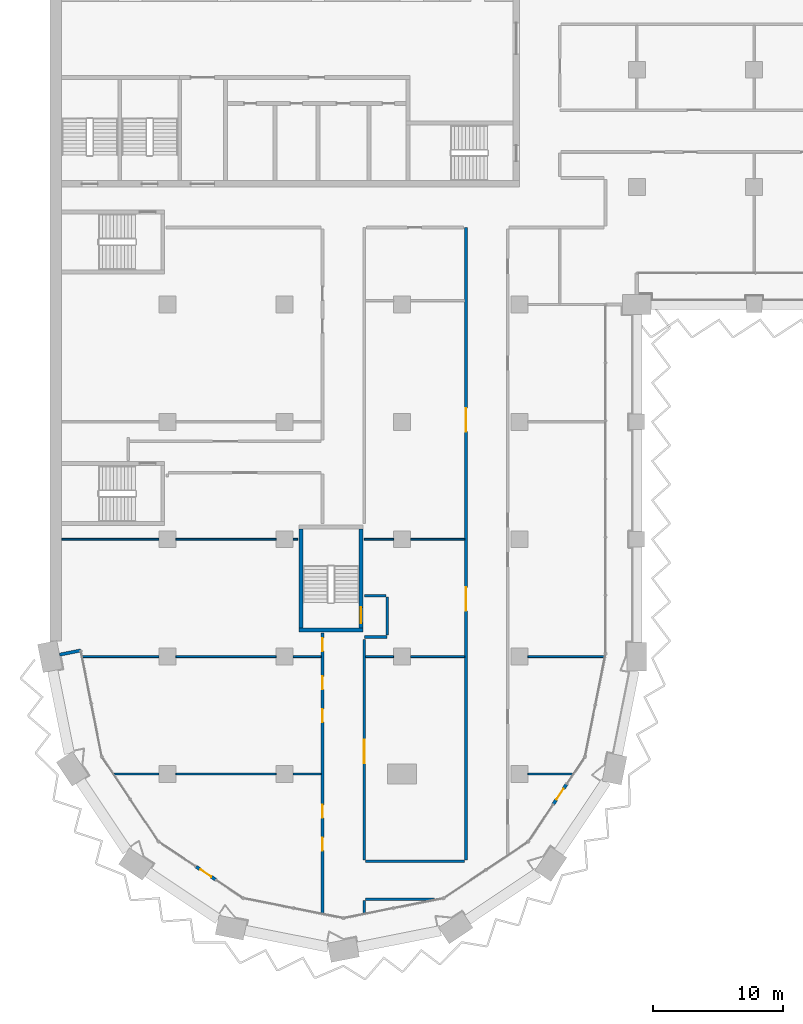
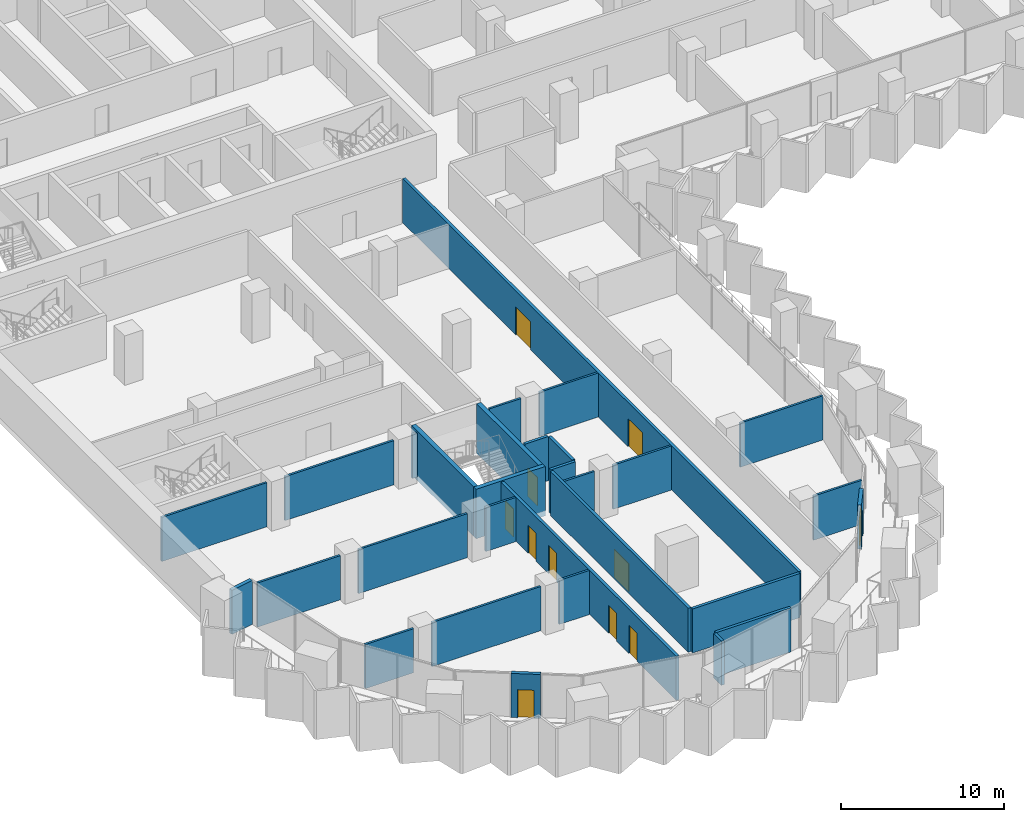
# One storey, part 9 of 23: 30 walls, 11 doors, 11 openings.
"""IFC4 building model written with IfcOpenShell, lengths in metres."""

from ifc_helpers import new_model, si_unit, direction, frame, frame_2d, origin, place, context, subcontext, project, spatial, rectangle, extrude, material, layer, layer_set, type_object, element, fill, save


model = new_model("IFC4")

# Units and contexts
model_context = context("Model", 3, precision=1e-05, world=origin(), true_north=direction((0.0, 1.0)))
body_context = subcontext(model_context, "Body", "Model", "MODEL_VIEW")
ifc_project = project(units=[si_unit("LENGTHUNIT", "METRE"), si_unit("AREAUNIT", "SQUARE_METRE"), si_unit("VOLUMEUNIT", "CUBIC_METRE"), si_unit("PLANEANGLEUNIT", "RADIAN"), si_unit("MASSUNIT", "GRAM", prefix="KILO")], contexts=[model_context])

# Site, building, storey
site_placement = place(None, origin())
site = spatial("IfcSite", under=ifc_project, at=site_placement, CompositionType="ELEMENT")
building_placement = place(site_placement, origin())
building = spatial("IfcBuilding", under=site, at=building_placement, Name="Hunhe Ridgeline Campus", CompositionType="ELEMENT")
storey_placement = place(building_placement, frame((0.0, 0.0, 99.60009765625)))
storey = spatial("IfcBuildingStorey", under=building, at=storey_placement, Name="L24", CompositionType="ELEMENT", Elevation=99.60009765625)

# Walls
ifc_material_1 = material(Name="Concrete C30", Category="concrete")
ifc_layer_1 = layer(ifc_material_1, 0.25)
ifc_layer_set_1 = layer_set([ifc_layer_1], Name="Corner return wall 250 Concrete C30")
wall_type_1 = type_object("IfcWallType", Name="Corner return wall 250 Concrete C30", PredefinedType="SOLIDWALL", material=ifc_layer_set_1)
wall_1_placement = place(storey_placement, frame((0.7353515625, 27.14697265625, 0.0), z_axis=(0.0, 0.0, 1.0), x_axis=(0.980824468215, 0.194893208067, 0.0)))
element("IfcWall", 1, at=wall_1_placement, inside=storey, type_object=wall_type_1, Name="Corner return wall 1", PredefinedType="SOLIDWALL", context=body_context, shape_type="SweptSolid", body=[
    extrude(rectangle(XDim=1.651123046875, YDim=0.25, at=frame_2d((0.82568359375, 0.0))), origin(), (0.0, 0.0, 1.0), 3.2998046875),
])
ifc_material_2 = material(Name="Gypsum board partition")
ifc_layer_2 = layer(ifc_material_2, 0.199951171875)
ifc_layer_set_2 = layer_set([ifc_layer_2], Name="Corridor partition 200 gypsum board on steel studs")
wall_type_2 = type_object("IfcWallType", Name="Corridor partition 200 gypsum board on steel studs", PredefinedType="PARTITIONING", material=ifc_layer_set_2)
wall_2_placement = place(storey_placement, frame((29.472412109375, 8.389892578125, 0.0), z_axis=(0.0, 0.0, 1.0), x_axis=(-1.0, 0.0, 0.0)))
element("IfcWall", 2, at=wall_2_placement, inside=storey, type_object=wall_type_2, Name="F-L24-wall-001", PredefinedType="PARTITIONING", context=body_context, shape_type="SweptSolid", body=[
    extrude(rectangle(XDim=5.2724609375, YDim=0.199951171875, at=frame_2d((2.63623046875, 0.0))), origin(), (0.0, 0.0, 1.0), 3.2998046875),
])
wall_3_placement = place(storey_placement, frame((24.199951171875, 11.299072265625, 0.0), z_axis=(0.0, 0.0, 1.0), x_axis=(1.0, 0.0, 0.0)))
element("IfcWall", 3, at=wall_3_placement, inside=storey, type_object=wall_type_2, Name="F-L24-wall-002", PredefinedType="PARTITIONING", context=body_context, shape_type="SweptSolid", body=[
    extrude(rectangle(XDim=7.60009765625, YDim=0.199951171875, at=frame_2d((3.800048828125, 0.0))), origin(), (0.0, 0.0, 1.0), 3.2998046875),
])
wall_4_placement = place(storey_placement, frame((25.85009765625, 28.5, 0.0), z_axis=(0.0, 0.0, 1.0), x_axis=(-1.0, 0.0, 0.0)))
element("IfcWall", 4, at=wall_4_placement, inside=storey, type_object=wall_type_2, Name="F-L24-wall-013", PredefinedType="PARTITIONING", context=body_context, shape_type="SweptSolid", body=[
    extrude(rectangle(XDim=1.75, YDim=0.199951171875, at=frame_2d((0.875, 0.0))), origin(), (0.0, 0.0, 1.0), 3.2998046875),
])
wall_5_placement = place(storey_placement, frame((24.10400390625, 31.675048828125, 0.0), z_axis=(0.0, 0.0, 1.0), x_axis=(1.0, 0.0, 0.0)))
element("IfcWall", 5, at=wall_5_placement, inside=storey, type_object=wall_type_2, Name="F-L24-wall-014", PredefinedType="PARTITIONING", context=body_context, shape_type="SweptSolid", body=[
    extrude(rectangle(XDim=1.64599609375, YDim=0.199951171875, at=frame_2d((0.822998046875, 0.0))), origin(), (0.0, 0.0, 1.0), 3.2998046875),
])

# Wall, openings, doors
wall_6_placement = place(storey_placement, frame((20.89990234375, 7.3212890625, 0.0), z_axis=(0.0, 0.0, 1.0), x_axis=(0.0, 1.0, 0.0)))
wall_6 = element("IfcWall", 6, at=wall_6_placement, inside=storey, type_object=wall_type_2, Name="F-L24-wall-042", PredefinedType="PARTITIONING", context=body_context, shape_type="SweptSolid", body=[
    extrude(rectangle(XDim=21.474609375, YDim=0.199951171875, at=frame_2d((10.7373046875, 0.0))), origin(), (0.0, 0.0, 1.0), 3.2998046875),
])
opening_1_placement = place(wall_6_placement, frame((4.805419921875, 0.0, 0.0)))
opening_1 = element("IfcOpeningElement", 7, at=opening_1_placement, cuts=wall_6, Name="Opening RD1-001", PredefinedType="OPENING", context=body_context, shape_type="SweptSolid", body=[
    extrude(rectangle(XDim=1.0, YDim=2.10009765625, at=frame_2d((0.5, 1.050048828125))), frame((0.0, 0.10009765625, 0.0), z_axis=(0.0, -1.0, 0.0), x_axis=(1.0, 0.0, 0.0)), (0.0, 0.0, 1.0), 0.199951171875),
])
opening_2_placement = place(wall_6_placement, frame((7.305419921875, 0.0, 0.0)))
opening_2 = element("IfcOpeningElement", 8, at=opening_2_placement, cuts=wall_6, Name="Opening RD1-002", PredefinedType="OPENING", context=body_context, shape_type="SweptSolid", body=[
    extrude(rectangle(XDim=1.0, YDim=2.10009765625, at=frame_2d((0.5, 1.050048828125))), frame((0.0, 0.10009765625, 0.0), z_axis=(0.0, -1.0, 0.0), x_axis=(1.0, 0.0, 0.0)), (0.0, 0.0, 1.0), 0.199951171875),
])
opening_3_placement = place(wall_6_placement, frame((14.65869140625, 0.0, 0.0)))
opening_3 = element("IfcOpeningElement", 9, at=opening_3_placement, cuts=wall_6, Name="Opening RD1-006", PredefinedType="OPENING", context=body_context, shape_type="SweptSolid", body=[
    extrude(rectangle(XDim=1.0, YDim=2.10009765625, at=frame_2d((0.5, 1.050048828125))), frame((0.0, 0.10009765625, 0.0), z_axis=(0.0, -1.0, 0.0), x_axis=(1.0, 0.0, 0.0)), (0.0, 0.0, 1.0), 0.199951171875),
])
opening_4_placement = place(wall_6_placement, frame((17.15869140625, 0.0, 0.0)))
opening_4 = element("IfcOpeningElement", 10, at=opening_4_placement, cuts=wall_6, Name="Opening RD1-007", PredefinedType="OPENING", context=body_context, shape_type="SweptSolid", body=[
    extrude(rectangle(XDim=1.0, YDim=2.10009765625, at=frame_2d((0.5, 1.050048828125))), frame((0.0, 0.10009765625, 0.0), z_axis=(0.0, -1.0, 0.0), x_axis=(1.0, 0.0, 0.0)), (0.0, 0.0, 1.0), 0.199951171875),
])
opening_5_placement = place(wall_6_placement, frame((20.09033203125, 0.0, 0.0)))
opening_5 = element("IfcOpeningElement", 11, at=opening_5_placement, cuts=wall_6, Name="Opening RD1-008", PredefinedType="OPENING", context=body_context, shape_type="SweptSolid", body=[
    extrude(rectangle(XDim=1.0, YDim=2.10009765625, at=frame_2d((0.5, 1.050048828125))), frame((0.0, 0.10009765625, 0.0), z_axis=(0.0, -1.0, 0.0), x_axis=(1.0, 0.0, 0.0)), (0.0, 0.0, 1.0), 0.199951171875),
])
ifc_material_3 = material(Name="Timber door leaf", Category="wood")
door_type_1 = type_object("IfcDoorType", Name="Single fire door 1000x2100 timber FD60", OperationType="NOTDEFINED", PredefinedType="DOOR", material=ifc_material_3)
door_1_placement = place(opening_1_placement, frame((1.0, 0.0, 0.0), z_axis=(0.0, 0.0, 1.0), x_axis=(-1.0, 0.0, 0.0)))
door_1 = element("IfcDoor", 12, at=door_1_placement, inside=storey, type_object=door_type_1, Name="F-L24-door-001", OperationType="SINGLE_SWING_LEFT", OverallHeight=2.10009765625, OverallWidth=1.0, PredefinedType="DOOR", context=body_context, shape_type="SweptSolid", body=[
    extrude(rectangle(XDim=1.0, YDim=2.10009765625, at=frame_2d((0.5, 1.050048828125))), frame((0.0, 0.02490234375, 0.0), z_axis=(0.0, -1.0, 0.0), x_axis=(1.0, 0.0, 0.0)), (0.0, 0.0, 1.0), 0.050048828125),
])
fill(opening_1, door_1)
door_2_placement = place(opening_2_placement, frame((1.0, 0.0, 0.0), z_axis=(0.0, 0.0, 1.0), x_axis=(-1.0, 0.0, 0.0)))
door_2 = element("IfcDoor", 13, at=door_2_placement, inside=storey, type_object=door_type_1, Name="F-L24-door-002", OperationType="SINGLE_SWING_LEFT", OverallHeight=2.10009765625, OverallWidth=1.0, PredefinedType="DOOR", context=body_context, shape_type="SweptSolid", body=[
    extrude(rectangle(XDim=1.0, YDim=2.10009765625, at=frame_2d((0.5, 1.050048828125))), frame((0.0, 0.02490234375, 0.0), z_axis=(0.0, -1.0, 0.0), x_axis=(1.0, 0.0, 0.0)), (0.0, 0.0, 1.0), 0.050048828125),
])
fill(opening_2, door_2)
door_3_placement = place(opening_3_placement, frame((1.0, 0.0, 0.0), z_axis=(0.0, 0.0, 1.0), x_axis=(-1.0, 0.0, 0.0)))
door_3 = element("IfcDoor", 14, at=door_3_placement, inside=storey, type_object=door_type_1, Name="F-L24-door-006", OperationType="SINGLE_SWING_LEFT", OverallHeight=2.10009765625, OverallWidth=1.0, PredefinedType="DOOR", context=body_context, shape_type="SweptSolid", body=[
    extrude(rectangle(XDim=1.0, YDim=2.10009765625, at=frame_2d((0.5, 1.050048828125))), frame((0.0, 0.02490234375, 0.0), z_axis=(0.0, -1.0, 0.0), x_axis=(1.0, 0.0, 0.0)), (0.0, 0.0, 1.0), 0.050048828125),
])
fill(opening_3, door_3)
door_4_placement = place(opening_4_placement, frame((1.0, 0.0, 0.0), z_axis=(0.0, 0.0, 1.0), x_axis=(-1.0, 0.0, 0.0)))
door_4 = element("IfcDoor", 15, at=door_4_placement, inside=storey, type_object=door_type_1, Name="F-L24-door-007", OperationType="SINGLE_SWING_LEFT", OverallHeight=2.10009765625, OverallWidth=1.0, PredefinedType="DOOR", context=body_context, shape_type="SweptSolid", body=[
    extrude(rectangle(XDim=1.0, YDim=2.10009765625, at=frame_2d((0.5, 1.050048828125))), frame((0.0, 0.02490234375, 0.0), z_axis=(0.0, -1.0, 0.0), x_axis=(1.0, 0.0, 0.0)), (0.0, 0.0, 1.0), 0.050048828125),
])
fill(opening_4, door_4)
door_5_placement = place(opening_5_placement, frame((1.0, 0.0, 0.0), z_axis=(0.0, 0.0, 1.0), x_axis=(-1.0, 0.0, 0.0)))
door_5 = element("IfcDoor", 16, at=door_5_placement, inside=storey, type_object=door_type_1, Name="F-L24-door-008", OperationType="SINGLE_SWING_LEFT", OverallHeight=2.10009765625, OverallWidth=1.0, PredefinedType="DOOR", context=body_context, shape_type="SweptSolid", body=[
    extrude(rectangle(XDim=1.0, YDim=2.10009765625, at=frame_2d((0.5, 1.050048828125))), frame((0.0, 0.02490234375, 0.0), z_axis=(0.0, -1.0, 0.0), x_axis=(1.0, 0.0, 0.0)), (0.0, 0.0, 1.0), 0.050048828125),
])
fill(opening_5, door_5)

# Wall
wall_7_placement = place(storey_placement, frame((24.10009765625, 8.2900390625, 0.0), z_axis=(0.0, 0.0, 1.0), x_axis=(0.0, -1.0, 0.0)))
element("IfcWall", 17, at=wall_7_placement, inside=storey, type_object=wall_type_2, Name="F-L24-wall-045", PredefinedType="PARTITIONING", context=body_context, shape_type="SweptSolid", body=[
    extrude(rectangle(XDim=0.96875, YDim=0.199951171875, at=frame_2d((0.484375, 0.0))), origin(), (0.0, 0.0, 1.0), 3.2998046875),
])

# Wall, opening, door
wall_8_placement = place(storey_placement, frame((24.10009765625, 28.296630859375, 0.0), z_axis=(0.0, 0.0, 1.0), x_axis=(0.0, -1.0, 0.0)))
wall_8 = element("IfcWall", 18, at=wall_8_placement, inside=storey, type_object=wall_type_2, Name="F-L24-wall-046", PredefinedType="PARTITIONING", context=body_context, shape_type="SweptSolid", body=[
    extrude(rectangle(XDim=16.897705078125, YDim=0.199951171875, at=frame_2d((8.44873046875, 0.0))), origin(), (0.0, 0.0, 1.0), 3.2998046875),
])
opening_6_placement = place(wall_8_placement, frame((7.67919921875, 0.0, 0.0)))
opening_6 = element("IfcOpeningElement", 19, at=opening_6_placement, cuts=wall_8, Name="Opening RD2-004", PredefinedType="OPENING", context=body_context, shape_type="SweptSolid", body=[
    extrude(rectangle(XDim=1.800048828125, YDim=2.10009765625, at=frame_2d((0.89990234375, 1.050048828125))), frame((0.0, 0.10009765625, 0.0), z_axis=(0.0, -1.0, 0.0), x_axis=(1.0, 0.0, 0.0)), (0.0, 0.0, 1.0), 0.199951171875),
])
door_type_2 = type_object("IfcDoorType", Name="Double fire door 1800x2100 timber FD60", OperationType="DOUBLE_DOOR_SINGLE_SWING", PredefinedType="DOOR", material=ifc_material_3)
door_6_placement = place(opening_6_placement, origin())
door_6 = element("IfcDoor", 20, at=door_6_placement, inside=storey, type_object=door_type_2, Name="F-L24-door-004", OperationType="DOUBLE_DOOR_SINGLE_SWING", OverallHeight=2.10009765625, OverallWidth=1.800048828125, PredefinedType="DOOR", context=body_context, shape_type="SweptSolid", body=[
    extrude(rectangle(XDim=1.800048828125, YDim=2.10009765625, at=frame_2d((0.89990234375, 1.050048828125))), frame((0.0, 0.02490234375, 0.0), z_axis=(0.0, -1.0, 0.0), x_axis=(1.0, 0.0, 0.0)), (0.0, 0.0, 1.0), 0.050048828125),
])
fill(opening_6, door_6)

# Wall
wall_9_placement = place(storey_placement, frame((25.85009765625, 31.574951171875, 0.0), z_axis=(0.0, 0.0, 1.0), x_axis=(0.0, -1.0, 0.0)))
element("IfcWall", 21, at=wall_9_placement, inside=storey, type_object=wall_type_2, Name="F-L24-wall-048", PredefinedType="PARTITIONING", context=body_context, shape_type="SweptSolid", body=[
    extrude(rectangle(XDim=2.89990234375, YDim=0.199951171875, at=frame_2d((1.449951171875, 0.0))), origin(), (0.0, 0.0, 1.0), 3.2998046875),
])

# Wall, openings, doors
wall_10_placement = place(storey_placement, frame((31.89990234375, 11.39892578125, 0.0), z_axis=(0.0, 0.0, 1.0), x_axis=(0.0, 1.0, 0.0)))
wall_10 = element("IfcWall", 22, at=wall_10_placement, inside=storey, type_object=wall_type_2, Name="F-L24-wall-049", PredefinedType="PARTITIONING", context=body_context, shape_type="SweptSolid", body=[
    extrude(rectangle(XDim=48.5009765625, YDim=0.199951171875, at=frame_2d((24.25048828125, 0.0))), origin(), (0.0, 0.0, 1.0), 3.2998046875),
])
opening_7_placement = place(wall_10_placement, frame((19.100341796875, 0.0, 0.0)))
opening_7 = element("IfcOpeningElement", 23, at=opening_7_placement, cuts=wall_10, Name="Opening RD2-009", PredefinedType="OPENING", context=body_context, shape_type="SweptSolid", body=[
    extrude(rectangle(XDim=1.800048828125, YDim=2.10009765625, at=frame_2d((0.89990234375, 1.050048828125))), frame((0.0, 0.10009765625, 0.0), z_axis=(0.0, -1.0, 0.0), x_axis=(1.0, 0.0, 0.0)), (0.0, 0.0, 1.0), 0.199951171875),
])
opening_8_placement = place(wall_10_placement, frame((32.8505859375, 0.0, 0.0)))
opening_8 = element("IfcOpeningElement", 24, at=opening_8_placement, cuts=wall_10, Name="Opening RD2-014", PredefinedType="OPENING", context=body_context, shape_type="SweptSolid", body=[
    extrude(rectangle(XDim=1.800048828125, YDim=2.10009765625, at=frame_2d((0.89990234375, 1.050048828125))), frame((0.0, 0.10009765625, 0.0), z_axis=(0.0, -1.0, 0.0), x_axis=(1.0, 0.0, 0.0)), (0.0, 0.0, 1.0), 0.199951171875),
])
door_7_placement = place(opening_7_placement, origin())
door_7 = element("IfcDoor", 25, at=door_7_placement, inside=storey, type_object=door_type_2, Name="F-L24-door-009", OperationType="DOUBLE_DOOR_SINGLE_SWING", OverallHeight=2.10009765625, OverallWidth=1.800048828125, PredefinedType="DOOR", context=body_context, shape_type="SweptSolid", body=[
    extrude(rectangle(XDim=1.800048828125, YDim=2.10009765625, at=frame_2d((0.89990234375, 1.050048828125))), frame((0.0, 0.02490234375, 0.0), z_axis=(0.0, -1.0, 0.0), x_axis=(1.0, 0.0, 0.0)), (0.0, 0.0, 1.0), 0.050048828125),
])
fill(opening_7, door_7)
door_8_placement = place(opening_8_placement, origin())
door_8 = element("IfcDoor", 26, at=door_8_placement, inside=storey, type_object=door_type_2, Name="F-L24-door-014", OperationType="DOUBLE_DOOR_SINGLE_SWING", OverallHeight=2.10009765625, OverallWidth=1.800048828125, PredefinedType="DOOR", context=body_context, shape_type="SweptSolid", body=[
    extrude(rectangle(XDim=1.800048828125, YDim=2.10009765625, at=frame_2d((0.89990234375, 1.050048828125))), frame((0.0, 0.02490234375, 0.0), z_axis=(0.0, -1.0, 0.0), x_axis=(1.0, 0.0, 0.0)), (0.0, 0.0, 1.0), 0.050048828125),
])
fill(opening_8, door_8)

# Wall, opening, door
ifc_layer_3 = layer(ifc_material_1, 0.25)
ifc_layer_set_3 = layer_set([ifc_layer_3], Name="Loggia door pier wall 250 Concrete C30")
wall_type_3 = type_object("IfcWallType", Name="Loggia door pier wall 250 Concrete C30", PredefinedType="SOLIDWALL", material=ifc_layer_set_3)
wall_11_placement = place(storey_placement, frame((11.19970703125, 10.897705078125, 0.0), z_axis=(0.0, 0.0, 1.0), x_axis=(0.83146554274, -0.555576323502, 0.0)))
wall_11 = element("IfcWall", 27, at=wall_11_placement, inside=storey, type_object=wall_type_3, Name="Loggia door pier 1", PredefinedType="SOLIDWALL", context=body_context, shape_type="SweptSolid", body=[
    extrude(rectangle(XDim=1.800048828125, YDim=0.25, at=frame_2d((0.89990234375, 0.0))), origin(), (0.0, 0.0, 1.0), 3.2998046875),
])
opening_9_placement = place(wall_11_placement, frame((0.39990234375, 0.0, 0.0)))
opening_9 = element("IfcOpeningElement", 28, at=opening_9_placement, cuts=wall_11, Name="Opening BD202", PredefinedType="OPENING", context=body_context, shape_type="SweptSolid", body=[
    extrude(rectangle(XDim=1.0, YDim=2.10009765625, at=frame_2d((0.5, 1.050048828125))), frame((0.0, 0.125, 0.0), z_axis=(0.0, -1.0, 0.0), x_axis=(1.0, 0.0, 0.0)), (0.0, 0.0, 1.0), 0.25),
])
ifc_material_4 = material(Name="Aluminium 6063", Category="aluminium")
door_type_3 = type_object("IfcDoorType", Name="Loggia glazed door 1000x2100", OperationType="NOTDEFINED", PredefinedType="DOOR", material=ifc_material_4)
door_9_placement = place(opening_9_placement, frame((1.0, 0.0, 0.0), z_axis=(0.0, 0.0, 1.0), x_axis=(-1.0, 0.0, 0.0)))
door_9 = element("IfcDoor", 29, at=door_9_placement, inside=storey, type_object=door_type_3, Name="Loggia door BD202", OperationType="SINGLE_SWING_LEFT", OverallHeight=2.10009765625, OverallWidth=1.0, PredefinedType="DOOR", context=body_context, shape_type="SweptSolid", body=[
    extrude(rectangle(XDim=1.0, YDim=2.10009765625, at=frame_2d((0.5, 1.050048828125))), frame((0.0, 0.02490234375, 0.0), z_axis=(0.0, -1.0, 0.0), x_axis=(1.0, 0.0, 0.0)), (0.0, 0.0, 1.0), 0.050048828125),
])
fill(opening_9, door_9)

wall_12_placement = place(storey_placement, frame((38.602294921875, 15.69970703125, 0.0), z_axis=(0.0, 0.0, 1.0), x_axis=(0.555576323502, 0.83146554274, 0.0)))
wall_12 = element("IfcWall", 30, at=wall_12_placement, inside=storey, type_object=wall_type_3, Name="Loggia door pier 2", PredefinedType="SOLIDWALL", context=body_context, shape_type="SweptSolid", body=[
    extrude(rectangle(XDim=1.800048828125, YDim=0.25, at=frame_2d((0.89990234375, 0.0))), origin(), (0.0, 0.0, 1.0), 3.2998046875),
])
opening_10_placement = place(wall_12_placement, frame((0.39990234375, 0.0, 0.0)))
opening_10 = element("IfcOpeningElement", 31, at=opening_10_placement, cuts=wall_12, Name="Opening BD204", PredefinedType="OPENING", context=body_context, shape_type="SweptSolid", body=[
    extrude(rectangle(XDim=1.0, YDim=2.10009765625, at=frame_2d((0.5, 1.050048828125))), frame((0.0, 0.125, 0.0), z_axis=(0.0, -1.0, 0.0), x_axis=(1.0, 0.0, 0.0)), (0.0, 0.0, 1.0), 0.25),
])
door_10_placement = place(opening_10_placement, frame((1.0, 0.0, 0.0), z_axis=(0.0, 0.0, 1.0), x_axis=(-1.0, 0.0, 0.0)))
door_10 = element("IfcDoor", 32, at=door_10_placement, inside=storey, type_object=door_type_3, Name="Loggia door BD204", OperationType="SINGLE_SWING_LEFT", OverallHeight=2.10009765625, OverallWidth=1.0, PredefinedType="DOOR", context=body_context, shape_type="SweptSolid", body=[
    extrude(rectangle(XDim=1.0, YDim=2.10009765625, at=frame_2d((0.5, 1.050048828125))), frame((0.0, 0.02490234375, 0.0), z_axis=(0.0, -1.0, 0.0), x_axis=(1.0, 0.0, 0.0)), (0.0, 0.0, 1.0), 0.050048828125),
])
fill(opening_10, door_10)

# Walls
ifc_layer_4 = layer(ifc_material_2, 0.14990234375)
ifc_layer_set_4 = layer_set([ifc_layer_4], Name="Room partition 150 gypsum board on steel studs")
wall_type_4 = type_object("IfcWallType", Name="Room partition 150 gypsum board on steel studs", PredefinedType="PARTITIONING", material=ifc_layer_set_4)
wall_13_placement = place(storey_placement, frame((4.925537109375, 18.0, 0.0), z_axis=(0.0, 0.0, 1.0), x_axis=(1.0, 0.0, 0.0)))
element("IfcWall", 33, at=wall_13_placement, inside=storey, type_object=wall_type_4, Name="F-L24-wall-003", PredefinedType="PARTITIONING", context=body_context, shape_type="SweptSolid", body=[
    extrude(rectangle(XDim=3.424560546875, YDim=0.14990234375, at=frame_2d((1.71240234375, 0.0))), origin(), (0.0, 0.0, 1.0), 3.2998046875),
])
wall_14_placement = place(storey_placement, frame((9.64990234375, 18.0, 0.0), z_axis=(0.0, 0.0, 1.0), x_axis=(1.0, 0.0, 0.0)))
element("IfcWall", 34, at=wall_14_placement, inside=storey, type_object=wall_type_4, Name="F-L24-wall-004", PredefinedType="PARTITIONING", context=body_context, shape_type="SweptSolid", body=[
    extrude(rectangle(XDim=7.7001953125, YDim=0.14990234375, at=frame_2d((3.85009765625, 0.0))), origin(), (0.0, 0.0, 1.0), 3.2998046875),
])
wall_15_placement = place(storey_placement, frame((18.64990234375, 18.0, 0.0), z_axis=(0.0, 0.0, 1.0), x_axis=(1.0, 0.0, 0.0)))
element("IfcWall", 35, at=wall_15_placement, inside=storey, type_object=wall_type_4, Name="F-L24-wall-005", PredefinedType="PARTITIONING", context=body_context, shape_type="SweptSolid", body=[
    extrude(rectangle(XDim=2.150146484375, YDim=0.14990234375, at=frame_2d((1.0751953125, 0.0))), origin(), (0.0, 0.0, 1.0), 3.2998046875),
])
wall_16_placement = place(storey_placement, frame((36.64990234375, 18.0, 0.0), z_axis=(0.0, 0.0, 1.0), x_axis=(1.0, 0.0, 0.0)))
element("IfcWall", 36, at=wall_16_placement, inside=storey, type_object=wall_type_4, Name="F-L24-wall-006", PredefinedType="PARTITIONING", context=body_context, shape_type="SweptSolid", body=[
    extrude(rectangle(XDim=3.424560546875, YDim=0.14990234375, at=frame_2d((1.71240234375, 0.0))), origin(), (0.0, 0.0, 1.0), 3.2998046875),
])
wall_17_placement = place(storey_placement, frame((2.503173828125, 27.0, 0.0), z_axis=(0.0, 0.0, 1.0), x_axis=(1.0, 0.0, 0.0)))
element("IfcWall", 37, at=wall_17_placement, inside=storey, type_object=wall_type_4, Name="F-L24-wall-007", PredefinedType="PARTITIONING", context=body_context, shape_type="SweptSolid", body=[
    extrude(rectangle(XDim=5.846923828125, YDim=0.14990234375, at=frame_2d((2.92333984375, 0.0))), origin(), (0.0, 0.0, 1.0), 3.2998046875),
])
wall_18_placement = place(storey_placement, frame((9.64990234375, 27.0, 0.0), z_axis=(0.0, 0.0, 1.0), x_axis=(1.0, 0.0, 0.0)))
element("IfcWall", 38, at=wall_18_placement, inside=storey, type_object=wall_type_4, Name="F-L24-wall-008", PredefinedType="PARTITIONING", context=body_context, shape_type="SweptSolid", body=[
    extrude(rectangle(XDim=7.7001953125, YDim=0.14990234375, at=frame_2d((3.85009765625, 0.0))), origin(), (0.0, 0.0, 1.0), 3.2998046875),
])
for number, where, z_axis, x_axis, name in (
    (39, (18.64990234375, 27.0, 0.0), (0.0, 0.0, 1.0), (1.0, 0.0, 0.0), "F-L24-wall-009"),
    (40, (24.199951171875, 27.0, 0.0), (0.0, 0.0, 1.0), (1.0, 0.0, 0.0), "F-L24-wall-010"),
):
    element("IfcWall", number, at=place(storey_placement, frame(where, z_axis=z_axis, x_axis=x_axis)), inside=storey, type_object=wall_type_4, Name=name, PredefinedType="PARTITIONING", context=body_context, shape_type="SweptSolid", body=[
        extrude(rectangle(XDim=2.150146484375, YDim=0.14990234375, at=frame_2d((1.0751953125, 0.0))), origin(), (0.0, 0.0, 1.0), 3.2998046875),
    ])
wall_19_placement = place(storey_placement, frame((27.64990234375, 27.0, 0.0), z_axis=(0.0, 0.0, 1.0), x_axis=(1.0, 0.0, 0.0)))
element("IfcWall", 41, at=wall_19_placement, inside=storey, type_object=wall_type_4, Name="F-L24-wall-011", PredefinedType="PARTITIONING", context=body_context, shape_type="SweptSolid", body=[
    extrude(rectangle(XDim=4.150146484375, YDim=0.14990234375, at=frame_2d((2.0751953125, 0.0))), origin(), (0.0, 0.0, 1.0), 3.2998046875),
])
wall_20_placement = place(storey_placement, frame((36.64990234375, 27.0, 0.0), z_axis=(0.0, 0.0, 1.0), x_axis=(1.0, 0.0, 0.0)))
element("IfcWall", 42, at=wall_20_placement, inside=storey, type_object=wall_type_4, Name="F-L24-wall-012", PredefinedType="PARTITIONING", context=body_context, shape_type="SweptSolid", body=[
    extrude(rectangle(XDim=5.846923828125, YDim=0.14990234375, at=frame_2d((2.92333984375, 0.0))), origin(), (0.0, 0.0, 1.0), 3.2998046875),
])
wall_21_placement = place(storey_placement, frame((0.919921875, 36.0, 0.0), z_axis=(0.0, 0.0, 1.0), x_axis=(1.0, 0.0, 0.0)))
element("IfcWall", 43, at=wall_21_placement, inside=storey, type_object=wall_type_4, Name="F-L24-wall-015", PredefinedType="PARTITIONING", context=body_context, shape_type="SweptSolid", body=[
    extrude(rectangle(XDim=7.43017578125, YDim=0.14990234375, at=frame_2d((3.715087890625, 0.0))), origin(), (0.0, 0.0, 1.0), 3.2998046875),
])
wall_22_placement = place(storey_placement, frame((9.64990234375, 36.0, 0.0), z_axis=(0.0, 0.0, 1.0), x_axis=(1.0, 0.0, 0.0)))
element("IfcWall", 44, at=wall_22_placement, inside=storey, type_object=wall_type_4, Name="F-L24-wall-016", PredefinedType="PARTITIONING", context=body_context, shape_type="SweptSolid", body=[
    extrude(rectangle(XDim=7.7001953125, YDim=0.14990234375, at=frame_2d((3.85009765625, 0.0))), origin(), (0.0, 0.0, 1.0), 3.2998046875),
])
wall_23_placement = place(storey_placement, frame((18.64990234375, 36.0, 0.0), z_axis=(0.0, 0.0, 1.0), x_axis=(1.0, 0.0, 0.0)))
element("IfcWall", 45, at=wall_23_placement, inside=storey, type_object=wall_type_4, Name="F-L24-wall-017", PredefinedType="PARTITIONING", context=body_context, shape_type="SweptSolid", body=[
    extrude(rectangle(XDim=0.34619140625, YDim=0.14990234375, at=frame_2d((0.173095703125, 0.0))), origin(), (0.0, 0.0, 1.0), 3.2998046875),
])
wall_24_placement = place(storey_placement, frame((24.10400390625, 36.0, 0.0), z_axis=(0.0, 0.0, 1.0), x_axis=(1.0, 0.0, 0.0)))
element("IfcWall", 46, at=wall_24_placement, inside=storey, type_object=wall_type_4, Name="F-L24-wall-018", PredefinedType="PARTITIONING", context=body_context, shape_type="SweptSolid", body=[
    extrude(rectangle(XDim=2.24609375, YDim=0.14990234375, at=frame_2d((1.123046875, 0.0))), origin(), (0.0, 0.0, 1.0), 3.2998046875),
])
wall_25_placement = place(storey_placement, frame((27.64990234375, 36.0, 0.0), z_axis=(0.0, 0.0, 1.0), x_axis=(1.0, 0.0, 0.0)))
element("IfcWall", 47, at=wall_25_placement, inside=storey, type_object=wall_type_4, Name="F-L24-wall-019", PredefinedType="PARTITIONING", context=body_context, shape_type="SweptSolid", body=[
    extrude(rectangle(XDim=4.150146484375, YDim=0.14990234375, at=frame_2d((2.0751953125, 0.0))), origin(), (0.0, 0.0, 1.0), 3.2998046875),
])
ifc_material_5 = material(Name="Concrete C80", Category="concrete")
ifc_layer_5 = layer(ifc_material_5, 0.300048828125)
ifc_layer_set_5 = layer_set([ifc_layer_5], Name="Stair wall 300 reinforced concrete C80")
wall_type_5 = type_object("IfcWallType", Name="Stair wall 300 reinforced concrete C80", PredefinedType="SOLIDWALL", material=ifc_layer_set_5)
wall_26_placement = place(storey_placement, frame((19.10009765625, 29.050048828125, -0.400146484375), z_axis=(0.0, 0.0, 1.0), x_axis=(1.0, 0.0, 0.0)))
element("IfcWall", 48, at=wall_26_placement, inside=storey, type_object=wall_type_5, Name="L24 core wall 1", PredefinedType="SOLIDWALL", context=body_context, shape_type="SweptSolid", body=[
    extrude(rectangle(XDim=4.89990234375, YDim=0.300048828125, at=frame_2d((2.449951171875, 0.0))), origin(), (0.0, 0.0, 1.0), 3.699951171875),
])
wall_27_placement = place(storey_placement, frame((19.25, 29.199951171875, -0.400146484375), z_axis=(0.0, 0.0, 1.0), x_axis=(0.0, 1.0, 0.0)))
element("IfcWall", 49, at=wall_27_placement, inside=storey, type_object=wall_type_5, Name="L24 core wall 47", PredefinedType="SOLIDWALL", context=body_context, shape_type="SweptSolid", body=[
    extrude(rectangle(XDim=7.60009765625, YDim=0.300048828125, at=frame_2d((3.800048828125, 0.0))), origin(), (0.0, 0.0, 1.0), 3.699951171875),
])

# Wall, opening, door
wall_28_placement = place(storey_placement, frame((23.85009765625, 29.199951171875, -0.400146484375), z_axis=(0.0, 0.0, 1.0), x_axis=(0.0, 1.0, 0.0)))
wall_28 = element("IfcWall", 50, at=wall_28_placement, inside=storey, type_object=wall_type_5, Name="L24 core wall 52", PredefinedType="SOLIDWALL", context=body_context, shape_type="SweptSolid", body=[
    extrude(rectangle(XDim=7.60009765625, YDim=0.300048828125, at=frame_2d((3.800048828125, 0.0))), origin(), (0.0, 0.0, 1.0), 3.699951171875),
])
opening_11_placement = place(wall_28_placement, frame((0.375, 0.0, 0.39990234375)))
opening_11 = element("IfcOpeningElement", 51, at=opening_11_placement, cuts=wall_28, Name="Opening CD23", PredefinedType="OPENING", context=body_context, shape_type="SweptSolid", body=[
    extrude(rectangle(XDim=1.199951171875, YDim=2.10009765625, at=frame_2d((0.60009765625, 1.050048828125))), frame((0.0, 0.14990234375, 0.0), z_axis=(0.0, -1.0, 0.0), x_axis=(1.0, 0.0, 0.0)), (0.0, 0.0, 1.0), 0.300048828125),
])
ifc_material_6 = material(Name="Hollow metal fire door leaf")
door_type_4 = type_object("IfcDoorType", Name="Stair door 1200x2100 FD60", OperationType="SINGLE_SWING_LEFT", PredefinedType="DOOR", material=ifc_material_6)
door_11_placement = place(opening_11_placement, frame((1.199951171875, 0.0, 0.0), z_axis=(0.0, 0.0, 1.0), x_axis=(-1.0, 0.0, 0.0)))
door_11 = element("IfcDoor", 52, at=door_11_placement, inside=storey, type_object=door_type_4, Name="L24 door W3", OperationType="SINGLE_SWING_LEFT", OverallHeight=2.10009765625, OverallWidth=1.199951171875, PredefinedType="DOOR", context=body_context, shape_type="SweptSolid", body=[
    extrude(rectangle(XDim=1.199951171875, YDim=2.10009765625, at=frame_2d((0.60009765625, 1.050048828125))), frame((0.0, 0.02490234375, 0.0), z_axis=(0.0, -1.0, 0.0), x_axis=(1.0, 0.0, 0.0)), (0.0, 0.0, 1.0), 0.050048828125),
])
fill(opening_11, door_11)

save(model, "model.ifc")
